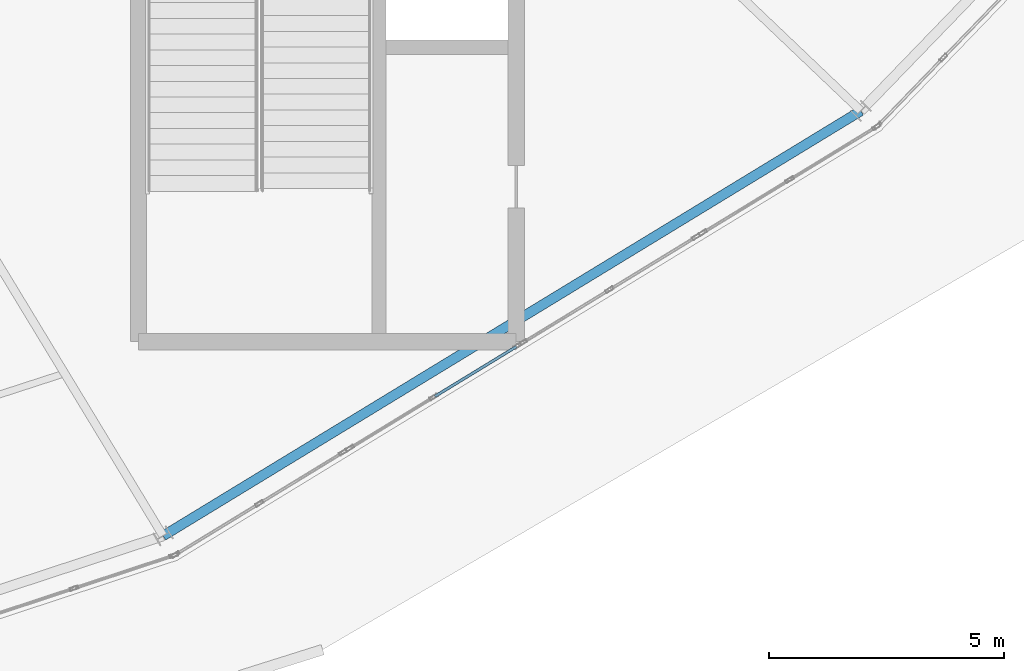
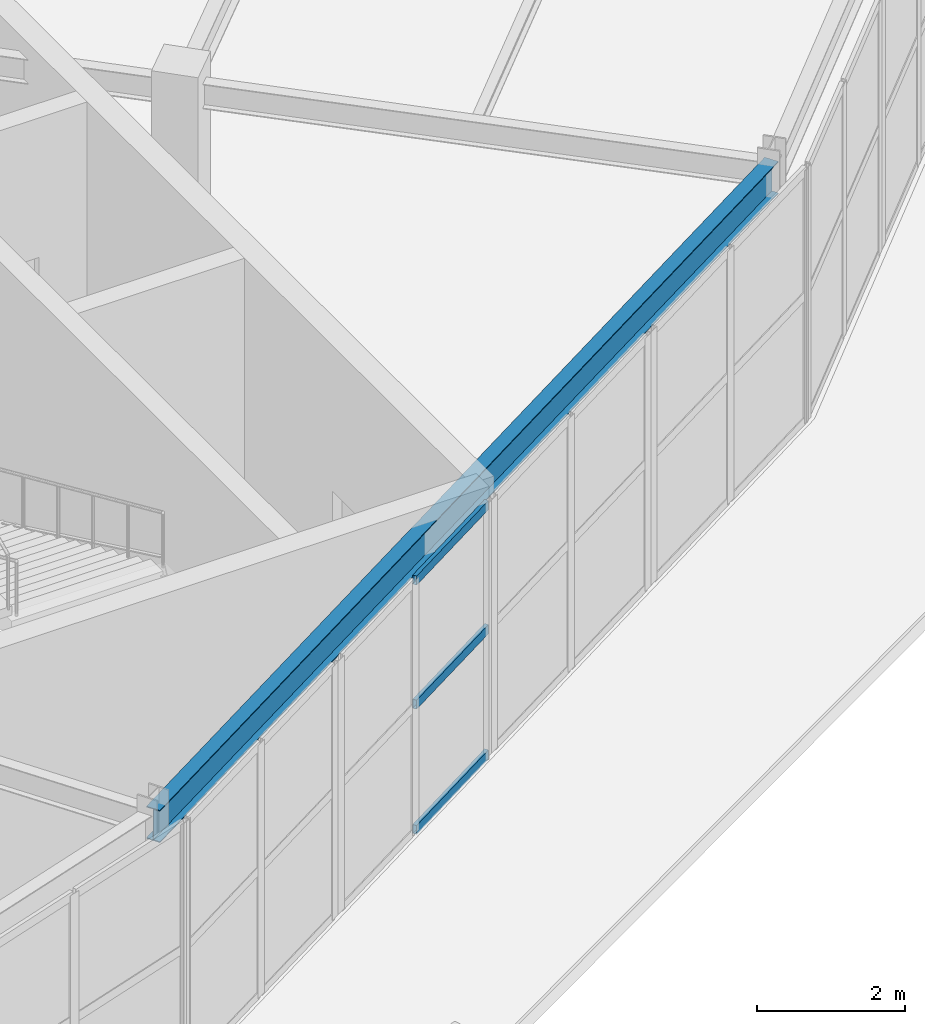
# One storey, part 47 of 126: 3 members, 1 beam, 1 element without a shape of its own.
"""IFC4 building model written with IfcOpenShell, lengths in metres."""

from ifc_helpers import new_model, si_unit, direction, frame, origin, origin_2d, place, context, subcontext, project, spatial, hollow_rectangle, i_section, extrude, material, layer, layer_set, material_profile, profile_set, type_object, element, aggregate, save


model = new_model("IFC4")

# Units and contexts
model_context = context("Model", 3, precision=1e-05, world=origin(), true_north=direction((0.0, 1.0)))
body_context = subcontext(model_context, "Body", "Model", "MODEL_VIEW")
ifc_project = project(units=[si_unit("LENGTHUNIT", "METRE"), si_unit("AREAUNIT", "SQUARE_METRE"), si_unit("VOLUMEUNIT", "CUBIC_METRE"), si_unit("PLANEANGLEUNIT", "RADIAN"), si_unit("MASSUNIT", "GRAM", prefix="KILO")], contexts=[model_context])

# Site, building, storey
site_placement = place(None, origin())
site = spatial("IfcSite", under=ifc_project, at=site_placement, CompositionType="ELEMENT")
building_placement = place(site_placement, origin())
building = spatial("IfcBuilding", under=site, at=building_placement, Name="Kalgoora Escarpment Arena", CompositionType="ELEMENT")
storey_placement = place(building_placement, frame((0.0, 0.0, 18.89990234375)))
storey = spatial("IfcBuildingStorey", under=building, at=storey_placement, Name="L04", CompositionType="ELEMENT", Elevation=18.89990234375)

# Beam
ifc_material_1 = material(Name="Structural steel AS/NZS 3679 (300 MPa)", Category="steel")
ifc_material_profile_1 = material_profile(ifc_material_1, i_section(OverallWidth=0.208984375, OverallDepth=0.532958984375, WebThickness=0.01025390625, FlangeThickness=0.015625, at=origin_2d()))
ifc_profile_set_1 = profile_set([ifc_material_profile_1], Name="Structural steel AS/NZS 3679 (300 MPa)")
beam_type = type_object("IfcBeamType", Name="BM-SPANDREL-530UB92.4", PredefinedType="SPANDREL", material=ifc_profile_set_1)
beam_placement = place(storey_placement, frame((128.300048828125, 14.63671875, 3.963623046875), z_axis=(0.854030640858, 0.520222706613, 0.0), x_axis=(-0.520222706613, 0.854030640858, 0.0)))
element("IfcBeam", 1, at=beam_placement, inside=storey, type_object=beam_type, Name="L04 Circumferential concourse girder RCONC2 530UB92.4", PredefinedType="SPANDREL", context=body_context, shape_type="SweptSolid", body=[
    extrude(i_section(OverallWidth=0.208984375, OverallDepth=0.532958984375, WebThickness=0.01025390625, FlangeThickness=0.015625, at=origin_2d()), origin(), (0.0, 0.0, 1.0), 17.411865234375),
])

# Curtain wall, members
ifc_material_2 = material(Name=" Champagne anodised aluminium & double-glazed low-E", Category="aluminium")
ifc_layer = layer(ifc_material_2, 0.14990234375)
ifc_layer_set = layer_set([ifc_layer], Name="CW-UNIT-05")
curtain_wall_type = type_object("IfcCurtainWallType", Name="CW-UNIT-05", PredefinedType="NOTDEFINED", material=ifc_layer_set)
curtain_wall_placement = place(storey_placement, origin())
curtain_wall = element("IfcCurtainWall", 2, at=curtain_wall_placement, inside=storey, type_object=curtain_wall_type, Name="L04 unitised facade curtain wall 104", PredefinedType="NOTDEFINED")
ifc_material_3 = material(Name="Anodised aluminium 6063-T6", Category="aluminium")
ifc_material_profile_2 = material_profile(ifc_material_3, hollow_rectangle(XDim=0.06005859375, YDim=0.14990234375, WallThickness=0.00341796875, at=origin_2d()))
ifc_profile_set_2 = profile_set([ifc_material_profile_2], Name="Anodised aluminium 6063-T6")
member_type = type_object("IfcMemberType", Name="MEM-CW-TRAN-150", PredefinedType="USERDEFINED", material=ifc_profile_set_2)
member_1_placement = place(storey_placement, frame((135.82568359375, 18.66845703125, 0.050048828125), z_axis=(-0.853549474663, -0.521011798621, 0.0), x_axis=(0.521011798621, -0.853549474663, 0.0)))
member_1 = element("IfcMember", 3, at=member_1_placement, type_object=member_type, Name="CW-05 transom 1.1", ObjectType="TRANSOM", PredefinedType="USERDEFINED", context=body_context, shape_type="SweptSolid", body=[
    extrude(hollow_rectangle(XDim=0.06005859375, YDim=0.14990234375, WallThickness=0.00341796875, at=origin_2d()), origin(), (0.0, 0.0, 1.0), 2.028564453125),
])
member_2_placement = place(storey_placement, frame((135.82568359375, 18.66845703125, 2.114990234375), z_axis=(-0.853549474663, -0.521011798621, 0.0), x_axis=(0.521011798621, -0.853549474663, 0.0)))
member_2 = element("IfcMember", 4, at=member_2_placement, type_object=member_type, Name="CW-05 transom 1.2", ObjectType="TRANSOM", PredefinedType="USERDEFINED", context=body_context, shape_type="SweptSolid", body=[
    extrude(hollow_rectangle(XDim=0.06005859375, YDim=0.14990234375, WallThickness=0.00341796875, at=origin_2d()), origin(), (0.0, 0.0, 1.0), 2.028564453125),
])
member_3_placement = place(storey_placement, frame((135.82568359375, 18.66845703125, 4.16015625), z_axis=(-0.853549474663, -0.521011798621, 0.0), x_axis=(0.521011798621, -0.853549474663, 0.0)))
member_3 = element("IfcMember", 5, at=member_3_placement, type_object=member_type, Name="CW-05 transom 1.3", ObjectType="TRANSOM", PredefinedType="USERDEFINED", context=body_context, shape_type="SweptSolid", body=[
    extrude(hollow_rectangle(XDim=0.06005859375, YDim=0.14990234375, WallThickness=0.00341796875, at=origin_2d()), origin(), (0.0, 0.0, 1.0), 2.028564453125),
])
aggregate(curtain_wall, [member_1, member_2, member_3])

save(model, "model.ifc")
